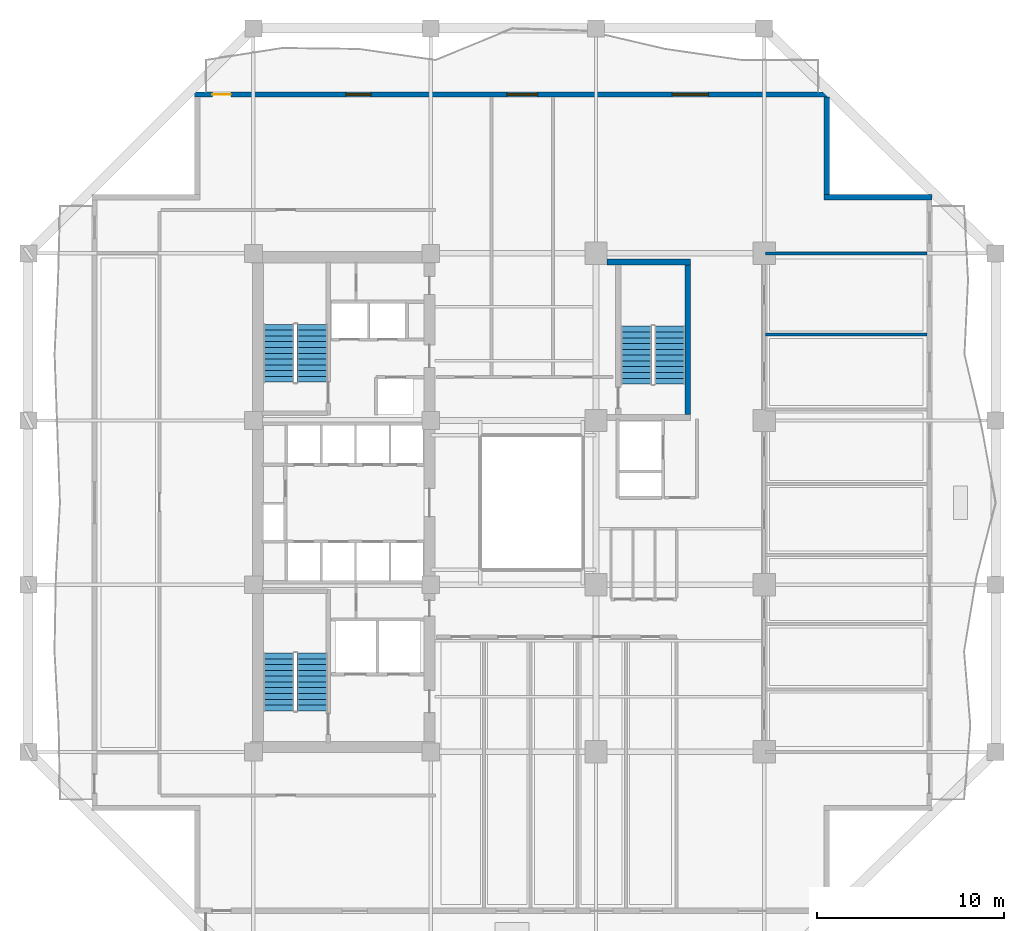
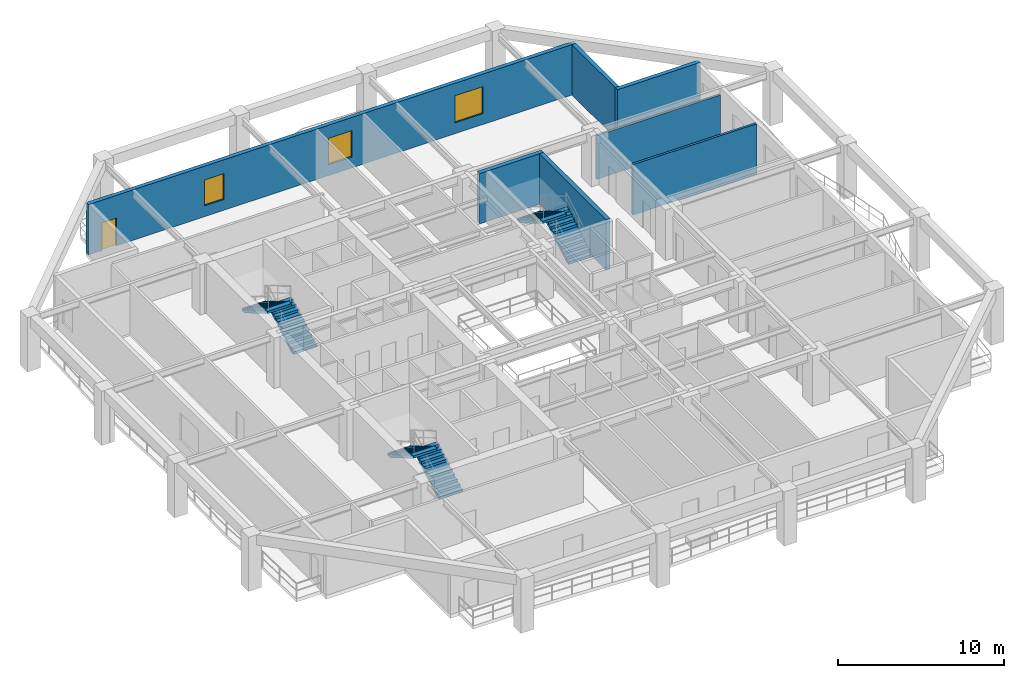
# One storey, part 6 of 13: 7 walls, 6 stair flights, 3 windows, 1 door, 4 openings, 3 elements without a shape of their own.
"""IFC4 building model written with IfcOpenShell, lengths in metres."""

from ifc_helpers import new_model, si_unit, direction, frame, frame_2d, origin, place, context, subcontext, project, spatial, polyline, rectangle, outline, extrude, material, layer, layer_set, type_object, element, fill, aggregate, save


model = new_model("IFC4")

# Units and contexts
model_context = context("Model", 3, precision=1e-05, world=origin(), true_north=direction((0.0, 1.0)))
body_context = subcontext(model_context, "Body", "Model", "MODEL_VIEW")
ifc_project = project(units=[si_unit("LENGTHUNIT", "METRE"), si_unit("AREAUNIT", "SQUARE_METRE"), si_unit("VOLUMEUNIT", "CUBIC_METRE"), si_unit("PLANEANGLEUNIT", "RADIAN"), si_unit("MASSUNIT", "GRAM", prefix="KILO")], contexts=[model_context])

# Site, building, storey
site_placement = place(None, origin())
site = spatial("IfcSite", under=ifc_project, at=site_placement, CompositionType="ELEMENT")
building_placement = place(site_placement, origin())
building = spatial("IfcBuilding", under=site, at=building_placement, Name="Kundavana Baori Tower", CompositionType="ELEMENT")
storey_placement = place(building_placement, frame((0.0, 0.0, 62.0)))
storey = spatial("IfcBuildingStorey", under=building, at=storey_placement, Name="L14", CompositionType="ELEMENT", Elevation=62.0)

# Walls
ifc_material_1 = material(Name="Red-Buff Dholpur Sandstone Cladding on Concrete C40/50", Category="masonry")
ifc_layer_1 = layer(ifc_material_1, 0.280029296875, Name="WL-EXT-SAND-280")
ifc_layer_set_1 = layer_set([ifc_layer_1], Name="Red-Buff Dholpur Sandstone Cladding on Concrete C40/50")
wall_type_1 = type_object("IfcWallType", Name="WL-EXT-SAND-280", PredefinedType="STANDARD", material=ifc_layer_set_1)
wall_1_placement = place(storey_placement, frame((51.800048828125, 44.9599609375, 0.0), z_axis=(0.0, 0.0, 1.0), x_axis=(-1.0, 0.0, 0.0)))
element("IfcWall", 1, at=wall_1_placement, inside=storey, type_object=wall_type_1, Name="L14 Exterior Insulated Facade Wall 05", PredefinedType="STANDARD", context=body_context, shape_type="SweptSolid", body=[
    extrude(rectangle(XDim=5.780029296875, YDim=0.280029296875, at=frame_2d((2.89013671875, 0.0))), origin(), (0.0, 0.0, 1.0), 3.719970703125),
])
wall_2_placement = place(storey_placement, frame((46.159912109375, 45.10009765625, 0.0), z_axis=(0.0, 0.0, 1.0), x_axis=(0.0, 1.0, 0.0)))
element("IfcWall", 2, at=wall_2_placement, inside=storey, type_object=wall_type_1, Name="L14 Exterior Insulated Facade Wall 06", PredefinedType="STANDARD", context=body_context, shape_type="SweptSolid", body=[
    extrude(rectangle(XDim=5.219970703125, YDim=0.280029296875, at=frame_2d((2.60986328125, 0.0))), origin(), (0.0, 0.0, 1.0), 3.719970703125),
])

# Wall, openings, door, windows
wall_3_placement = place(storey_placement, frame((46.300048828125, 50.4599609375, 0.0), z_axis=(0.0, 0.0, 1.0), x_axis=(-1.0, 0.0, 0.0)))
wall_3 = element("IfcWall", 3, at=wall_3_placement, inside=storey, type_object=wall_type_1, Name="L14 Exterior Insulated Facade Wall 07", PredefinedType="STANDARD", context=body_context, shape_type="SweptSolid", body=[
    extrude(rectangle(XDim=34.0, YDim=0.280029296875, at=frame_2d((17.0, 0.0))), origin(), (0.0, 0.0, 1.0), 3.719970703125),
])
opening_1_placement = place(wall_3_placement, frame((32.050048828125, 0.0, 0.0)))
opening_1 = element("IfcOpeningElement", 4, at=opening_1_placement, cuts=wall_3, Name="Opening BD-1", PredefinedType="OPENING", context=body_context, shape_type="SweptSolid", body=[
    extrude(rectangle(XDim=1.0, YDim=2.050048828125, at=frame_2d((0.5, 1.02490234375))), frame((0.0, 0.14990234375, 0.0), z_axis=(0.0, -1.0, 0.0), x_axis=(1.0, 0.0, 0.0)), (0.0, 0.0, 1.0), 0.300048828125),
])
opening_2_placement = place(wall_3_placement, frame((24.544921875, 0.0, 0.800048828125)))
opening_2 = element("IfcOpeningElement", 5, at=opening_2_placement, cuts=wall_3, Name="Opening W-07", PredefinedType="OPENING", context=body_context, shape_type="SweptSolid", body=[
    extrude(rectangle(XDim=1.35009765625, YDim=1.89990234375, at=frame_2d((0.675048828125, 0.949951171875))), frame((0.0, 0.14990234375, 0.0), z_axis=(0.0, -1.0, 0.0), x_axis=(1.0, 0.0, 0.0)), (0.0, 0.0, 1.0), 0.300048828125),
])
opening_3_placement = place(wall_3_placement, frame((15.625, 0.0, 0.800048828125)))
opening_3 = element("IfcOpeningElement", 6, at=opening_3_placement, cuts=wall_3, Name="Opening W-08", PredefinedType="OPENING", context=body_context, shape_type="SweptSolid", body=[
    extrude(rectangle(XDim=1.64990234375, YDim=1.949951171875, at=frame_2d((0.824951171875, 0.97509765625))), frame((0.0, 0.14990234375, 0.0), z_axis=(0.0, -1.0, 0.0), x_axis=(1.0, 0.0, 0.0)), (0.0, 0.0, 1.0), 0.300048828125),
])
opening_4_placement = place(wall_3_placement, frame((6.47998046875, 0.0, 0.800048828125)))
opening_4 = element("IfcOpeningElement", 7, at=opening_4_placement, cuts=wall_3, Name="Opening W-09", PredefinedType="OPENING", context=body_context, shape_type="SweptSolid", body=[
    extrude(rectangle(XDim=1.949951171875, YDim=2.0, at=frame_2d((0.97509765625, 1.0))), frame((0.0, 0.14990234375, 0.0), z_axis=(0.0, -1.0, 0.0), x_axis=(1.0, 0.0, 0.0)), (0.0, 0.0, 1.0), 0.300048828125),
])
ifc_material_2 = material(Name="Architectural Patinated Bronze Metalwork")
door_type = type_object("IfcDoorType", Name="DR-EXT-LOG-1000", OperationType="NOTDEFINED", PredefinedType="DOOR", material=ifc_material_2)
door_placement = place(opening_1_placement, frame((1.0, 0.0, 0.0), z_axis=(0.0, 0.0, 1.0), x_axis=(-1.0, 0.0, 0.0)))
door = element("IfcDoor", 8, at=door_placement, inside=storey, type_object=door_type, Name="L14 Loggia Balcony Access Door N", OperationType="SINGLE_SWING_LEFT", OverallHeight=2.050048828125, OverallWidth=1.0, PredefinedType="DOOR", context=body_context, shape_type="SweptSolid", body=[
    extrude(rectangle(XDim=1.0, YDim=2.050048828125, at=frame_2d((0.5, 1.02490234375))), frame((0.0, 0.02490234375, 0.0), z_axis=(0.0, -1.0, 0.0), x_axis=(1.0, 0.0, 0.0)), (0.0, 0.0, 1.0), 0.050048828125),
])
fill(opening_1, door)
ifc_material_3 = material(Name="Double-Glazed Solar-Control Low-E Insulated Glass", Category="glass")
window_type_1 = type_object("IfcWindowType", Name="WIN-LOG-1350x1900", PartitioningType="SINGLE_PANEL", PredefinedType="WINDOW", material=ifc_material_3)
window_1_placement = place(opening_2_placement, origin())
window_1 = element("IfcWindow", 9, at=window_1_placement, inside=storey, type_object=window_type_1, Name="L14 Recessed Loggia Window N-1", OverallHeight=1.89990234375, OverallWidth=1.35009765625, PartitioningType="SINGLE_PANEL", PredefinedType="WINDOW", context=body_context, shape_type="SweptSolid", body=[
    extrude(rectangle(XDim=1.35009765625, YDim=1.89990234375, at=frame_2d((0.675048828125, 0.949951171875))), frame((0.0, 0.030029296875, 0.0), z_axis=(0.0, -1.0, 0.0), x_axis=(1.0, 0.0, 0.0)), (0.0, 0.0, 1.0), 0.06005859375),
])
fill(opening_2, window_1)
ifc_material_4 = material(Name="Double-Glazed Solar-Control Low-E Insulated Glass", Category="glass")
window_type_2 = type_object("IfcWindowType", Name="WIN-LOG-1650x1950", PartitioningType="SINGLE_PANEL", PredefinedType="WINDOW", material=ifc_material_4)
window_2_placement = place(opening_3_placement, origin())
window_2 = element("IfcWindow", 10, at=window_2_placement, inside=storey, type_object=window_type_2, Name="L14 Recessed Loggia Window N-2", OverallHeight=1.949951171875, OverallWidth=1.64990234375, PartitioningType="SINGLE_PANEL", PredefinedType="WINDOW", context=body_context, shape_type="SweptSolid", body=[
    extrude(rectangle(XDim=1.64990234375, YDim=1.949951171875, at=frame_2d((0.824951171875, 0.97509765625))), frame((0.0, 0.030029296875, 0.0), z_axis=(0.0, -1.0, 0.0), x_axis=(1.0, 0.0, 0.0)), (0.0, 0.0, 1.0), 0.06005859375),
])
fill(opening_3, window_2)
ifc_material_5 = material(Name="Double-Glazed Solar-Control Low-E Insulated Glass", Category="glass")
window_type_3 = type_object("IfcWindowType", Name="WIN-LOG-1950x2000", PartitioningType="SINGLE_PANEL", PredefinedType="WINDOW", material=ifc_material_5)
window_3_placement = place(opening_4_placement, origin())
window_3 = element("IfcWindow", 11, at=window_3_placement, inside=storey, type_object=window_type_3, Name="L14 Recessed Loggia Window N-3", OverallHeight=2.0, OverallWidth=1.949951171875, PartitioningType="SINGLE_PANEL", PredefinedType="WINDOW", context=body_context, shape_type="SweptSolid", body=[
    extrude(rectangle(XDim=1.949951171875, YDim=2.0, at=frame_2d((0.97509765625, 1.0))), frame((0.0, 0.030029296875, 0.0), z_axis=(0.0, -1.0, 0.0), x_axis=(1.0, 0.0, 0.0)), (0.0, 0.0, 1.0), 0.06005859375),
])
fill(opening_4, window_3)

# Walls
ifc_material_6 = material(Name="Fire-Rated Gypsum Drywall on Galvanised Steel Studs", Category="steel")
ifc_layer_2 = layer(ifc_material_6, 0.1650390625, Name="WL-PART-165")
ifc_layer_set_2 = layer_set([ifc_layer_2], Name="Fire-Rated Gypsum Drywall on Galvanised Steel Studs")
wall_type_2 = type_object("IfcWallType", Name="WL-PART-165", PredefinedType="PARTITIONING", material=ifc_layer_set_2)
wall_4_placement = place(storey_placement, frame((42.8798828125, 41.949951171875, 0.0), z_axis=(0.0, 0.0, 1.0), x_axis=(1.0, 0.0, 0.0)))
element("IfcWall", 12, at=wall_4_placement, inside=storey, type_object=wall_type_2, Name="WL-L14-OFEN", PredefinedType="PARTITIONING", context=body_context, shape_type="SweptSolid", body=[
    extrude(rectangle(XDim=8.64013671875, YDim=0.1650390625, at=frame_2d((4.320068359375, 0.0))), origin(), (0.0, 0.0, 1.0), 3.219970703125),
])
wall_5_placement = place(storey_placement, frame((42.8798828125, 37.60009765625, 0.0), z_axis=(0.0, 0.0, 1.0), x_axis=(1.0, 0.0, 0.0)))
element("IfcWall", 13, at=wall_5_placement, inside=storey, type_object=wall_type_2, Name="WL-L14-ED6", PredefinedType="PARTITIONING", context=body_context, shape_type="SweptSolid", body=[
    extrude(rectangle(XDim=8.64013671875, YDim=0.1650390625, at=frame_2d((4.320068359375, 0.0))), origin(), (0.0, 0.0, 1.0), 3.719970703125),
])
ifc_material_7 = material(Name="Concrete C50/60", Category="concrete")
ifc_layer_3 = layer(ifc_material_7, 0.300048828125, Name="WL-ST3-300")
ifc_layer_set_3 = layer_set([ifc_layer_3], Name="Concrete C50/60")
wall_type_3 = type_object("IfcWallType", Name="WL-ST3-300", PredefinedType="SHEAR", material=ifc_layer_set_3)
wall_6_placement = place(storey_placement, frame((34.39990234375, 41.489990234375, 0.0), z_axis=(0.0, 0.0, 1.0), x_axis=(1.0, 0.0, 0.0)))
element("IfcWall", 14, at=wall_6_placement, inside=storey, type_object=wall_type_3, Name="L14 Stair ST3 North Shear Wall", PredefinedType="SHEAR", context=body_context, shape_type="SweptSolid", body=[
    extrude(rectangle(XDim=4.47021484375, YDim=0.300048828125, at=frame_2d((2.235107421875, 0.0))), origin(), (0.0, 0.0, 1.0), 3.719970703125),
])
wall_7_placement = place(storey_placement, frame((38.719970703125, 33.31005859375, 0.0), z_axis=(0.0, 0.0, 1.0), x_axis=(0.0, 1.0, 0.0)))
element("IfcWall", 15, at=wall_7_placement, inside=storey, type_object=wall_type_3, Name="L14 Stair ST3 East Shear Wall", PredefinedType="SHEAR", context=body_context, shape_type="SweptSolid", body=[
    extrude(rectangle(XDim=8.030029296875, YDim=0.300048828125, at=frame_2d((4.01513671875, 0.0))), origin(), (0.0, 0.0, 1.0), 3.719970703125),
])

# Stair, stair flights
ifc_material_8 = material(Name="Concrete C40/50", Category="concrete")
stair_type = type_object("IfcStairType", Name="STR-DOG-1650", PredefinedType="HALF_TURN_STAIR", material=ifc_material_8)
stair_1_placement = place(storey_placement, origin())
stair_1 = element("IfcStair", 16, at=stair_1_placement, inside=storey, type_object=stair_type, Name="L14 Protected Exit Stair ST1", PredefinedType="HALF_TURN_STAIR")
ifc_material_9 = material(Name="Concrete C40/50", Category="concrete")
stair_flight_type = type_object("IfcStairFlightType", Name="SFL-RC-1650", PredefinedType="STRAIGHT", material=ifc_material_9)
stair_flight_1_placement = place(storey_placement, frame((18.614990234375, 17.449951171875, 0.0), z_axis=(0.0, 0.0, 1.0), x_axis=(0.0, 1.0, 0.0)))
stair_flight_1 = element("IfcStairFlight", 17, at=stair_flight_1_placement, type_object=stair_flight_type, Name="ST1 flight 1", NumberOfRisers=11, NumberOfTreads=10, PredefinedType="STRAIGHT", RiserHeight=0.181818182, TreadLength=0.31, context=body_context, shape_type="SweptSolid", body=[
    extrude(outline(polyline([(0.0, 0.0), (0.0, 0.181884765625), (0.31005859375, 0.181884765625), (0.31005859375, 0.363525390625), (0.6201171875, 0.363525390625), (0.6201171875, 0.54541015625), (0.929931640625, 0.54541015625), (0.929931640625, 0.727294921875), (1.239990234375, 0.727294921875), (1.239990234375, 0.9091796875), (1.550048828125, 0.9091796875), (1.550048828125, 1.0908203125), (1.860107421875, 1.0908203125), (1.860107421875, 1.272705078125), (2.169921875, 1.272705078125), (2.169921875, 1.45458984375), (2.47998046875, 1.45458984375), (2.47998046875, 1.636474609375), (2.7900390625, 1.636474609375), (2.7900390625, 1.818115234375), (3.10009765625, 1.818115234375), (3.10009765625, 2.0), (3.10009765625, 1.644287109375), (0.29638671875, 0.0), (0.0, 0.0)])), frame((0.0, 0.824951171875, 0.0), z_axis=(0.0, -1.0, 0.0), x_axis=(1.0, 0.0, 0.0)), (0.0, 0.0, 1.0), 1.64990234375),
])
stair_flight_2_placement = place(storey_placement, frame((16.804931640625, 20.550048828125, 2.0), z_axis=(0.0, 0.0, 1.0), x_axis=(0.0, -1.0, 0.0)))
stair_flight_2 = element("IfcStairFlight", 18, at=stair_flight_2_placement, type_object=stair_flight_type, Name="ST1 flight 2", NumberOfRisers=11, NumberOfTreads=10, PredefinedType="STRAIGHT", RiserHeight=0.181818182, TreadLength=0.31, context=body_context, shape_type="SweptSolid", body=[
    extrude(outline(polyline([(0.0, 0.0), (0.0, 0.181884765625), (0.31005859375, 0.181884765625), (0.31005859375, 0.363525390625), (0.6201171875, 0.363525390625), (0.6201171875, 0.54541015625), (0.929931640625, 0.54541015625), (0.929931640625, 0.727294921875), (1.239990234375, 0.727294921875), (1.239990234375, 0.9091796875), (1.550048828125, 0.9091796875), (1.550048828125, 1.0908203125), (1.860107421875, 1.0908203125), (1.860107421875, 1.272705078125), (2.169921875, 1.272705078125), (2.169921875, 1.45458984375), (2.47998046875, 1.45458984375), (2.47998046875, 1.636474609375), (2.7900390625, 1.636474609375), (2.7900390625, 1.818115234375), (3.10009765625, 1.818115234375), (3.10009765625, 2.0), (3.10009765625, 1.644287109375), (0.29638671875, 0.0), (0.0, 0.0)])), frame((0.0, 0.824951171875, 0.0), z_axis=(0.0, -1.0, 0.0), x_axis=(1.0, 0.0, 0.0)), (0.0, 0.0, 1.0), 1.64990234375),
])
aggregate(stair_1, [stair_flight_1, stair_flight_2])

stair_2_placement = place(storey_placement, origin())
stair_2 = element("IfcStair", 19, at=stair_2_placement, inside=storey, type_object=stair_type, Name="L14 Protected Exit Stair ST2", PredefinedType="HALF_TURN_STAIR")
stair_flight_3_placement = place(storey_placement, frame((18.614990234375, 35.050048828125, 0.0), z_axis=(0.0, 0.0, 1.0), x_axis=(0.0, 1.0, 0.0)))
stair_flight_3 = element("IfcStairFlight", 20, at=stair_flight_3_placement, type_object=stair_flight_type, Name="ST2 flight 1", NumberOfRisers=11, NumberOfTreads=10, PredefinedType="STRAIGHT", RiserHeight=0.181818182, TreadLength=0.31, context=body_context, shape_type="SweptSolid", body=[
    extrude(outline(polyline([(0.0, 0.0), (0.0, 0.181884765625), (0.31005859375, 0.181884765625), (0.31005859375, 0.363525390625), (0.6201171875, 0.363525390625), (0.6201171875, 0.54541015625), (0.929931640625, 0.54541015625), (0.929931640625, 0.727294921875), (1.239990234375, 0.727294921875), (1.239990234375, 0.9091796875), (1.550048828125, 0.9091796875), (1.550048828125, 1.0908203125), (1.860107421875, 1.0908203125), (1.860107421875, 1.272705078125), (2.169921875, 1.272705078125), (2.169921875, 1.45458984375), (2.47998046875, 1.45458984375), (2.47998046875, 1.636474609375), (2.7900390625, 1.636474609375), (2.7900390625, 1.818115234375), (3.10009765625, 1.818115234375), (3.10009765625, 2.0), (3.10009765625, 1.644287109375), (0.29638671875, 0.0), (0.0, 0.0)])), frame((0.0, 0.824951171875, 0.0), z_axis=(0.0, -1.0, 0.0), x_axis=(1.0, 0.0, 0.0)), (0.0, 0.0, 1.0), 1.64990234375),
])
stair_flight_4_placement = place(storey_placement, frame((16.804931640625, 38.14990234375, 2.0), z_axis=(0.0, 0.0, 1.0), x_axis=(0.0, -1.0, 0.0)))
stair_flight_4 = element("IfcStairFlight", 21, at=stair_flight_4_placement, type_object=stair_flight_type, Name="ST2 flight 2", NumberOfRisers=11, NumberOfTreads=10, PredefinedType="STRAIGHT", RiserHeight=0.181818182, TreadLength=0.31, context=body_context, shape_type="SweptSolid", body=[
    extrude(outline(polyline([(0.0, 0.0), (0.0, 0.181884765625), (0.31005859375, 0.181884765625), (0.31005859375, 0.363525390625), (0.6201171875, 0.363525390625), (0.6201171875, 0.54541015625), (0.929931640625, 0.54541015625), (0.929931640625, 0.727294921875), (1.239990234375, 0.727294921875), (1.239990234375, 0.9091796875), (1.550048828125, 0.9091796875), (1.550048828125, 1.0908203125), (1.860107421875, 1.0908203125), (1.860107421875, 1.272705078125), (2.169921875, 1.272705078125), (2.169921875, 1.45458984375), (2.47998046875, 1.45458984375), (2.47998046875, 1.636474609375), (2.7900390625, 1.636474609375), (2.7900390625, 1.818115234375), (3.10009765625, 1.818115234375), (3.10009765625, 2.0), (3.10009765625, 1.644287109375), (0.29638671875, 0.0), (0.0, 0.0)])), frame((0.0, 0.824951171875, 0.0), z_axis=(0.0, -1.0, 0.0), x_axis=(1.0, 0.0, 0.0)), (0.0, 0.0, 1.0), 1.64990234375),
])
aggregate(stair_2, [stair_flight_3, stair_flight_4])

stair_3_placement = place(storey_placement, origin())
stair_3 = element("IfcStair", 22, at=stair_3_placement, inside=storey, type_object=stair_type, Name="L14 Protected Exit Stair ST3", PredefinedType="HALF_TURN_STAIR")
stair_flight_5_placement = place(storey_placement, frame((37.7548828125, 34.949951171875, 0.0), z_axis=(0.0, 0.0, 1.0), x_axis=(0.0, 1.0, 0.0)))
stair_flight_5 = element("IfcStairFlight", 23, at=stair_flight_5_placement, type_object=stair_flight_type, Name="ST3 flight 1", NumberOfRisers=11, NumberOfTreads=10, PredefinedType="STRAIGHT", RiserHeight=0.181818182, TreadLength=0.31, context=body_context, shape_type="SweptSolid", body=[
    extrude(outline(polyline([(0.0, 0.0), (0.0, 0.181884765625), (0.31005859375, 0.181884765625), (0.31005859375, 0.363525390625), (0.6201171875, 0.363525390625), (0.6201171875, 0.54541015625), (0.929931640625, 0.54541015625), (0.929931640625, 0.727294921875), (1.239990234375, 0.727294921875), (1.239990234375, 0.9091796875), (1.550048828125, 0.9091796875), (1.550048828125, 1.0908203125), (1.860107421875, 1.0908203125), (1.860107421875, 1.272705078125), (2.169921875, 1.272705078125), (2.169921875, 1.45458984375), (2.47998046875, 1.45458984375), (2.47998046875, 1.636474609375), (2.7900390625, 1.636474609375), (2.7900390625, 1.818115234375), (3.10009765625, 1.818115234375), (3.10009765625, 2.0), (3.10009765625, 1.644287109375), (0.29638671875, 0.0), (0.0, 0.0)])), frame((0.0, 0.824951171875, 0.0), z_axis=(0.0, -1.0, 0.0), x_axis=(1.0, 0.0, 0.0)), (0.0, 0.0, 1.0), 1.64990234375),
])
stair_flight_6_placement = place(storey_placement, frame((35.945068359375, 38.050048828125, 2.0), z_axis=(0.0, 0.0, 1.0), x_axis=(0.0, -1.0, 0.0)))
stair_flight_6 = element("IfcStairFlight", 24, at=stair_flight_6_placement, type_object=stair_flight_type, Name="ST3 flight 2", NumberOfRisers=11, NumberOfTreads=10, PredefinedType="STRAIGHT", RiserHeight=0.181818182, TreadLength=0.31, context=body_context, shape_type="SweptSolid", body=[
    extrude(outline(polyline([(0.0, 0.0), (0.0, 0.181884765625), (0.31005859375, 0.181884765625), (0.31005859375, 0.363525390625), (0.6201171875, 0.363525390625), (0.6201171875, 0.54541015625), (0.929931640625, 0.54541015625), (0.929931640625, 0.727294921875), (1.239990234375, 0.727294921875), (1.239990234375, 0.9091796875), (1.550048828125, 0.9091796875), (1.550048828125, 1.0908203125), (1.860107421875, 1.0908203125), (1.860107421875, 1.272705078125), (2.169921875, 1.272705078125), (2.169921875, 1.45458984375), (2.47998046875, 1.45458984375), (2.47998046875, 1.636474609375), (2.7900390625, 1.636474609375), (2.7900390625, 1.818115234375), (3.10009765625, 1.818115234375), (3.10009765625, 2.0), (3.10009765625, 1.644287109375), (0.29638671875, 0.0), (0.0, 0.0)])), frame((0.0, 0.824951171875, 0.0), z_axis=(0.0, -1.0, 0.0), x_axis=(1.0, 0.0, 0.0)), (0.0, 0.0, 1.0), 1.64990234375),
])
aggregate(stair_3, [stair_flight_5, stair_flight_6])

save(model, "model.ifc")
